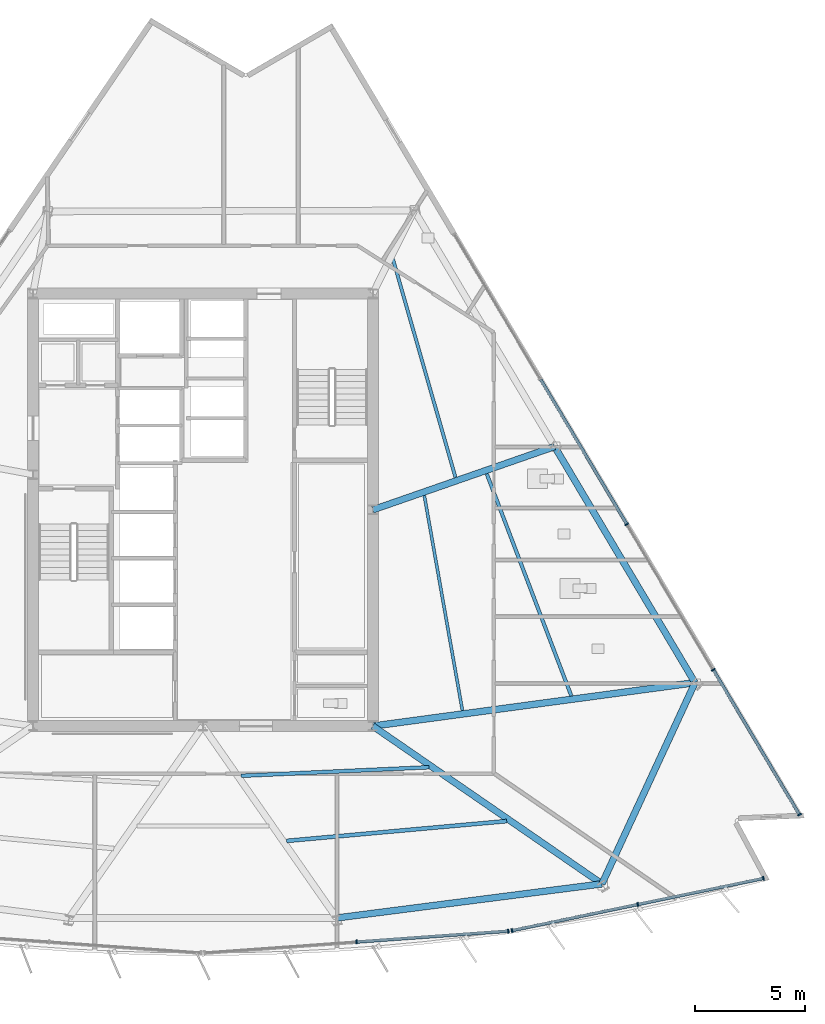
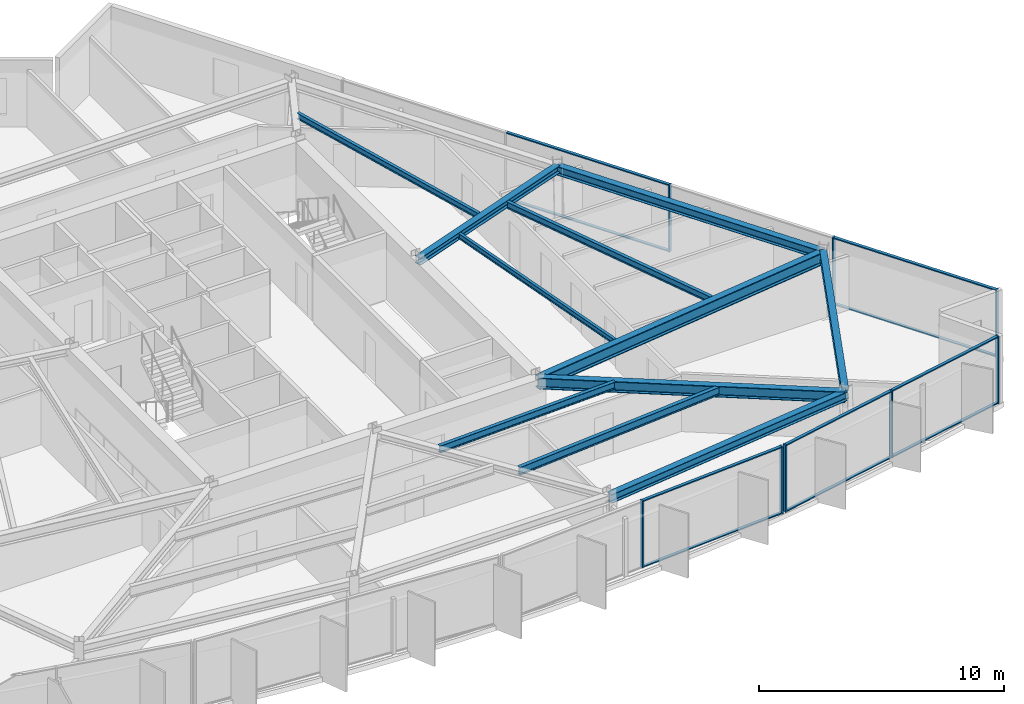
# One storey, part 4 of 15: 18 members, 11 beams, 3 elements without a shape of their own.
"""IFC4 building model written with IfcOpenShell, lengths in metres."""

from ifc_helpers import new_model, si_unit, direction, frame, origin, origin_2d, place, context, subcontext, project, spatial, rectangle, i_section, extrude, material, material_profile, profile_set, type_object, element, aggregate, save


model = new_model("IFC4")

# Units and contexts
model_context = context("Model", 3, precision=1e-05, world=origin(), true_north=direction((0.0, 1.0)))
body_context = subcontext(model_context, "Body", "Model", "MODEL_VIEW")
ifc_project = project(units=[si_unit("LENGTHUNIT", "METRE"), si_unit("AREAUNIT", "SQUARE_METRE"), si_unit("VOLUMEUNIT", "CUBIC_METRE"), si_unit("PLANEANGLEUNIT", "RADIAN"), si_unit("MASSUNIT", "GRAM", prefix="KILO")], contexts=[model_context])

# Site, building, storey
site_placement = place(None, origin())
site = spatial("IfcSite", under=ifc_project, at=site_placement, CompositionType="ELEMENT")
building_placement = place(site_placement, origin())
building = spatial("IfcBuilding", under=site, at=building_placement, Name="Savorim Split Tower", CompositionType="ELEMENT")
storey_placement = place(building_placement, frame((0.0, 0.0, 138.60009765625)))
storey = spatial("IfcBuildingStorey", under=building, at=storey_placement, Name="L36", CompositionType="ELEMENT", Elevation=138.60009765625)

# Beams
ifc_material_1 = material(Name="Steel S355", Category="steel")
ifc_material_profile_1 = material_profile(ifc_material_1, i_section(OverallWidth=0.135009765625, OverallDepth=0.27001953125, WebThickness=0.006591796875, FlangeThickness=0.01025390625, FilletRadius=0.014892578125, at=origin_2d()), Name="IPE 270")
ifc_profile_set_1 = profile_set([ifc_material_profile_1], Name="Steel S355")
beam_type_1 = type_object("IfcBeamType", Name="BM-JST-IPE270", PredefinedType="JOIST", material=ifc_profile_set_1)
beam_1_placement = place(storey_placement, frame((11.76025390625, -8.691650390625, 3.21484375), z_axis=(-0.174503595628, 0.984656536622, 0.0), x_axis=(-0.984656536622, -0.174503595628, 0.0)))
element("IfcBeam", 1, at=beam_1_placement, inside=storey, type_object=beam_type_1, Name="L36 Secondary Floor Joist JS-08", PredefinedType="JOIST", context=body_context, shape_type="SweptSolid", body=[
    extrude(i_section(OverallWidth=0.135009765625, OverallDepth=0.27001953125, WebThickness=0.006591796875, FlangeThickness=0.01025390625, FilletRadius=0.014892578125, at=origin_2d()), origin(), (0.0, 0.0, 1.0), 9.888427734375),
])
ifc_material_profile_2 = material_profile(ifc_material_1, i_section(OverallWidth=0.14990234375, OverallDepth=0.300048828125, WebThickness=0.007080078125, FlangeThickness=0.0107421875, FilletRadius=0.014892578125, at=origin_2d()), Name="IPE 300")
ifc_profile_set_2 = profile_set([ifc_material_profile_2], Name="Steel S355")
beam_type_2 = type_object("IfcBeamType", Name="BM-JST-IPE300", PredefinedType="JOIST", material=ifc_profile_set_2)
beam_2_placement = place(storey_placement, frame((11.445556640625, 1.87255859375, 3.199951171875), z_axis=(-0.275440744926, 0.961318051445, 0.0), x_axis=(-0.961318051445, -0.275440744926, 0.0)))
element("IfcBeam", 2, at=beam_2_placement, inside=storey, type_object=beam_type_2, Name="L36 Secondary Floor Joist JS-07", PredefinedType="JOIST", context=body_context, shape_type="SweptSolid", body=[
    extrude(i_section(OverallWidth=0.14990234375, OverallDepth=0.300048828125, WebThickness=0.007080078125, FlangeThickness=0.0107421875, FilletRadius=0.014892578125, at=origin_2d()), origin(), (0.0, 0.0, 1.0), 10.304931640625),
])
ifc_material_profile_3 = material_profile(ifc_material_1, i_section(OverallWidth=0.159912109375, OverallDepth=0.330078125, WebThickness=0.007568359375, FlangeThickness=0.011474609375, FilletRadius=0.01806640625, at=origin_2d()), Name="IPE 330")
ifc_profile_set_3 = profile_set([ifc_material_profile_3], Name="Steel S355")
beam_type_3 = type_object("IfcBeamType", Name="BM-JST-IPE330", PredefinedType="JOIST", material=ifc_profile_set_3)
beam_3_placement = place(storey_placement, frame((16.695556640625, -8.031005859375, 3.184814453125), z_axis=(-0.355916098706, 0.934517913516, 0.0), x_axis=(-0.934517913516, -0.355916098706, 0.0)))
element("IfcBeam", 3, at=beam_3_placement, inside=storey, type_object=beam_type_3, Name="L36 Secondary Floor Joist JS-06", PredefinedType="JOIST", context=body_context, shape_type="SweptSolid", body=[
    extrude(i_section(OverallWidth=0.159912109375, OverallDepth=0.330078125, WebThickness=0.007568359375, FlangeThickness=0.011474609375, FilletRadius=0.01806640625, at=origin_2d()), origin(), (0.0, 0.0, 1.0), 10.763916015625),
])
ifc_material_profile_4 = material_profile(ifc_material_1, i_section(OverallWidth=0.169921875, OverallDepth=0.360107421875, WebThickness=0.008056640625, FlangeThickness=0.0126953125, FilletRadius=0.01806640625, at=origin_2d()), Name="IPE 360")
ifc_profile_set_4 = profile_set([ifc_material_profile_4], Name="Steel S355")
beam_type_4 = type_object("IfcBeamType", Name="BM-JST-IPE360", PredefinedType="JOIST", material=ifc_profile_set_4)
beam_4_placement = place(storey_placement, frame((1.735595703125, -11.653564453125, 3.169921875), z_axis=(0.998966351189, 0.045455793834, 0.0), x_axis=(-0.045455793834, 0.998966351189, 0.0)))
element("IfcBeam", 4, at=beam_4_placement, inside=storey, type_object=beam_type_4, Name="L36 Secondary Floor Joist JS-05", PredefinedType="JOIST", context=body_context, shape_type="SweptSolid", body=[
    extrude(i_section(OverallWidth=0.169921875, OverallDepth=0.360107421875, WebThickness=0.008056640625, FlangeThickness=0.0126953125, FilletRadius=0.01806640625, at=origin_2d()), origin(), (0.0, 0.0, 1.0), 8.512939453125),
])
ifc_material_profile_5 = material_profile(ifc_material_1, i_section(OverallWidth=0.179931640625, OverallDepth=0.39990234375, WebThickness=0.008544921875, FlangeThickness=0.013427734375, FilletRadius=0.02099609375, at=origin_2d()), Name="IPE 400")
ifc_profile_set_5 = profile_set([ifc_material_profile_5], Name="Steel S355")
beam_type_5 = type_object("IfcBeamType", Name="BM-JST-IPE400", PredefinedType="JOIST", material=ifc_profile_set_5)
beam_5_placement = place(storey_placement, frame((3.795654296875, -14.602783203125, 3.14990234375), z_axis=(0.995976701948, 0.089612550332, 0.0), x_axis=(-0.089612550332, 0.995976701948, 0.0)))
element("IfcBeam", 5, at=beam_5_placement, inside=storey, type_object=beam_type_5, Name="L36 Secondary Floor Joist JS-04", PredefinedType="JOIST", context=body_context, shape_type="SweptSolid", body=[
    extrude(i_section(OverallWidth=0.179931640625, OverallDepth=0.39990234375, WebThickness=0.008544921875, FlangeThickness=0.013427734375, FilletRadius=0.02099609375, at=origin_2d()), origin(), (0.0, 0.0, 1.0), 10.014892578125),
])
ifc_material_profile_6 = material_profile(ifc_material_1, i_section(OverallWidth=0.300048828125, OverallDepth=0.360107421875, WebThickness=0.012451171875, FlangeThickness=0.0224609375, FilletRadius=0.027099609375, at=origin_2d()), Name="HEB 360")
ifc_profile_set_6 = profile_set([ifc_material_profile_6], Name="Steel S355")
beam_type_6 = type_object("IfcBeamType", Name="BM-PRI-HEB360", PredefinedType="BEAM", material=ifc_profile_set_6)
beam_6_placement = place(storey_placement, frame((15.938232421875, 3.266845703125, 3.169921875), z_axis=(-0.944445055769, -0.328669342399, 0.0), x_axis=(0.328669342399, -0.944445055769, 0.0)))
element("IfcBeam", 6, at=beam_6_placement, inside=storey, type_object=beam_type_6, Name="L36 Primary Floor Girder RG-06", PredefinedType="BEAM", context=body_context, shape_type="SweptSolid", body=[
    extrude(i_section(OverallWidth=0.300048828125, OverallDepth=0.360107421875, WebThickness=0.012451171875, FlangeThickness=0.0224609375, FilletRadius=0.027099609375, at=origin_2d()), origin(), (0.0, 0.0, 1.0), 8.722900390625),
])
ifc_material_profile_7 = material_profile(ifc_material_1, i_section(OverallWidth=0.300048828125, OverallDepth=0.550048828125, WebThickness=0.014892578125, FlangeThickness=0.029052734375, FilletRadius=0.027099609375, at=origin_2d()), Name="HEB 550")
ifc_profile_set_7 = profile_set([ifc_material_profile_7], Name="Steel S355")
beam_type_7 = type_object("IfcBeamType", Name="BM-PRI-HEB550", PredefinedType="BEAM", material=ifc_profile_set_7)
beam_7_placement = place(storey_placement, frame((18.082763671875, -16.551513671875, 3.074951171875), z_axis=(-0.823544389723, 0.567251829575, 0.0), x_axis=(-0.567251829575, -0.823544389723, 0.0)))
element("IfcBeam", 7, at=beam_7_placement, inside=storey, type_object=beam_type_7, Name="L36 Primary Floor Girder RG-04", PredefinedType="BEAM", context=body_context, shape_type="SweptSolid", body=[
    extrude(i_section(OverallWidth=0.300048828125, OverallDepth=0.550048828125, WebThickness=0.014892578125, FlangeThickness=0.029052734375, FilletRadius=0.027099609375, at=origin_2d()), origin(), (0.0, 0.0, 1.0), 12.607421875),
])
ifc_material_2 = material(Name="Steel S460", Category="steel")
ifc_material_profile_8 = material_profile(ifc_material_2, i_section(OverallWidth=0.304931640625, OverallDepth=0.6201171875, WebThickness=0.02099609375, FlangeThickness=0.0400390625, FilletRadius=0.027099609375, at=origin_2d()), Name="HE 600 M")
ifc_profile_set_8 = profile_set([ifc_material_profile_8], Name="Steel S460")
beam_type_8 = type_object("IfcBeamType", Name="BM-PRI-HEM600", PredefinedType="BEAM", material=ifc_profile_set_8)
beam_8_placement = place(storey_placement, frame((22.30078125, -7.43310546875, 3.039794921875), z_axis=(-0.991048986262, -0.133498714712, 0.0), x_axis=(0.133498714712, -0.991048986262, 0.0)))
element("IfcBeam", 8, at=beam_8_placement, inside=storey, type_object=beam_type_8, Name="L36 Primary Floor Girder RG-05", PredefinedType="BEAM", context=body_context, shape_type="SweptSolid", body=[
    extrude(i_section(OverallWidth=0.304931640625, OverallDepth=0.6201171875, WebThickness=0.02099609375, FlangeThickness=0.0400390625, FilletRadius=0.027099609375, at=origin_2d()), origin(), (0.0, 0.0, 1.0), 14.732666015625),
])
ifc_material_profile_9 = material_profile(ifc_material_1, i_section(OverallWidth=0.300048828125, OverallDepth=0.43994140625, WebThickness=0.011474609375, FlangeThickness=0.02099609375, FilletRadius=0.027099609375, at=origin_2d()), Name="HEA 450")
ifc_profile_set_9 = profile_set([ifc_material_profile_9], Name="Steel S355")
beam_type_9 = type_object("IfcBeamType", Name="BM-SPN-HEA450", PredefinedType="SPANDREL", material=ifc_profile_set_9)
beam_9_placement = place(storey_placement, frame((6.060546875, -18.09521484375, 3.1298828125), z_axis=(0.991856761228, 0.127358412388, 0.0), x_axis=(-0.127358412388, 0.991856761228, 0.0)))
element("IfcBeam", 9, at=beam_9_placement, inside=storey, type_object=beam_type_9, Name="L36 Perimeter Spandrel Beam 3", PredefinedType="SPANDREL", context=body_context, shape_type="SweptSolid", body=[
    extrude(i_section(OverallWidth=0.300048828125, OverallDepth=0.43994140625, WebThickness=0.011474609375, FlangeThickness=0.02099609375, FilletRadius=0.027099609375, at=origin_2d()), origin(), (0.0, 0.0, 1.0), 12.120849609375),
])
beam_10_placement = place(storey_placement, frame((18.082763671875, -16.551513671875, 3.1298828125), z_axis=(0.419839312234, 0.907598453008, 0.0), x_axis=(-0.907598453008, 0.419839312234, 0.0)))
element("IfcBeam", 10, at=beam_10_placement, inside=storey, type_object=beam_type_9, Name="L36 Perimeter Spandrel Beam 4", PredefinedType="SPANDREL", context=body_context, shape_type="SweptSolid", body=[
    extrude(i_section(OverallWidth=0.300048828125, OverallDepth=0.43994140625, WebThickness=0.011474609375, FlangeThickness=0.02099609375, FilletRadius=0.027099609375, at=origin_2d()), origin(), (0.0, 0.0, 1.0), 10.046630859375),
])
beam_11_placement = place(storey_placement, frame((22.30078125, -7.43310546875, 3.1298828125), z_axis=(-0.51110006338, 0.859521218594, 0.0), x_axis=(-0.859521218594, -0.51110006338, 0.0)))
element("IfcBeam", 11, at=beam_11_placement, inside=storey, type_object=beam_type_9, Name="L36 Perimeter Spandrel Beam 5", PredefinedType="SPANDREL", context=body_context, shape_type="SweptSolid", body=[
    extrude(i_section(OverallWidth=0.300048828125, OverallDepth=0.43994140625, WebThickness=0.011474609375, FlangeThickness=0.02099609375, FilletRadius=0.027099609375, at=origin_2d()), origin(), (0.0, 0.0, 1.0), 12.44873046875),
])

# Curtain wall, members
ifc_material_3 = material(Name="Dark Ceramic-Fritted Insulated Glass", Category="glass")
curtain_wall_type = type_object("IfcCurtainWallType", Name="CW-TWR-FRIT-A", PredefinedType="NOTDEFINED", material=ifc_material_3)
curtain_wall_1_placement = place(storey_placement, origin())
curtain_wall_1 = element("IfcCurtainWall", 12, at=curtain_wall_1_placement, inside=storey, type_object=curtain_wall_type, Name="L36 Curtain Wall CW-L36-SF3", PredefinedType="NOTDEFINED")
ifc_material_4 = material(Name="Charcoal Anodised Aluminium", Category="aluminium")
ifc_material_profile_10 = material_profile(ifc_material_4, rectangle(XDim=0.179931640625, YDim=0.06494140625, at=origin_2d()), Name="ALU-M 180x65")
ifc_profile_set_10 = profile_set([ifc_material_profile_10], Name="Charcoal Anodised Aluminium")
member_type_1 = type_object("IfcMemberType", Name="CWM-180x65", PredefinedType="MULLION", material=ifc_profile_set_10)
member_1_placement = place(storey_placement, frame((6.9619140625, -19.181884765625, 0.0), z_axis=(0.0, 0.0, 1.0), x_axis=(-0.071560918492, 0.997436231017, 0.0)))
member_1 = element("IfcMember", 13, at=member_1_placement, type_object=member_type_1, Name="CW-02 mullion 2", PredefinedType="MULLION", context=body_context, shape_type="SweptSolid", body=[
    extrude(rectangle(XDim=0.179931640625, YDim=0.06494140625, at=origin_2d()), origin(), (0.0, 0.0, 1.0), 3.349853515625),
])
member_2_placement = place(storey_placement, frame((13.840087890625, -18.688232421875, 0.0), z_axis=(0.0, 0.0, 1.0), x_axis=(-0.071560918492, 0.997436231017, 0.0)))
member_2 = element("IfcMember", 14, at=member_2_placement, type_object=member_type_1, Name="CW-02 mullion 3", PredefinedType="MULLION", context=body_context, shape_type="SweptSolid", body=[
    extrude(rectangle(XDim=0.179931640625, YDim=0.06494140625, at=origin_2d()), origin(), (0.0, 0.0, 1.0), 3.349853515625),
])

curtain_wall_2_placement = place(storey_placement, origin())
curtain_wall_2 = element("IfcCurtainWall", 15, at=curtain_wall_2_placement, inside=storey, type_object=curtain_wall_type, Name="L36 Curtain Wall CW-L36-SF4", PredefinedType="NOTDEFINED")
member_3_placement = place(storey_placement, frame((14.007080078125, -18.6650390625, 0.0), z_axis=(0.0, 0.0, 1.0), x_axis=(-0.203209964912, 0.979135184824, 0.0)))
member_3 = element("IfcMember", 16, at=member_3_placement, type_object=member_type_1, Name="CW-02 mullion 1", PredefinedType="MULLION", context=body_context, shape_type="SweptSolid", body=[
    extrude(rectangle(XDim=0.179931640625, YDim=0.06494140625, at=origin_2d()), origin(), (0.0, 0.0, 1.0), 3.349853515625),
])
member_4_placement = place(storey_placement, frame((19.70458984375, -17.482666015625, 0.0), z_axis=(0.0, 0.0, 1.0), x_axis=(-0.203209964912, 0.979135184824, 0.0)))
member_4 = element("IfcMember", 17, at=member_4_placement, type_object=member_type_1, Name="CW-02 mullion 2", PredefinedType="MULLION", context=body_context, shape_type="SweptSolid", body=[
    extrude(rectangle(XDim=0.179931640625, YDim=0.06494140625, at=origin_2d()), origin(), (0.0, 0.0, 1.0), 3.349853515625),
])
member_5_placement = place(storey_placement, frame((25.402099609375, -16.30029296875, 0.0), z_axis=(0.0, 0.0, 1.0), x_axis=(-0.203209964912, 0.979135184824, 0.0)))
member_5 = element("IfcMember", 18, at=member_5_placement, type_object=member_type_1, Name="CW-02 mullion 3", PredefinedType="MULLION", context=body_context, shape_type="SweptSolid", body=[
    extrude(rectangle(XDim=0.179931640625, YDim=0.06494140625, at=origin_2d()), origin(), (0.0, 0.0, 1.0), 3.349853515625),
])

curtain_wall_3_placement = place(storey_placement, origin())
curtain_wall_3 = element("IfcCurtainWall", 19, at=curtain_wall_3_placement, inside=storey, type_object=curtain_wall_type, Name="L36 Curtain Wall CW-L36-EAST", PredefinedType="NOTDEFINED")
member_6_placement = place(storey_placement, frame((27.032470703125, -13.41357421875, 0.0), z_axis=(0.0, 0.0, 1.0), x_axis=(-0.859526328423, -0.511091470039, 0.0)))
member_6 = element("IfcMember", 20, at=member_6_placement, type_object=member_type_1, Name="CW-02 mullion 1", PredefinedType="MULLION", context=body_context, shape_type="SweptSolid", body=[
    extrude(rectangle(XDim=0.179931640625, YDim=0.06494140625, at=origin_2d()), origin(), (0.0, 0.0, 1.0), 3.349853515625),
])
member_7_placement = place(storey_placement, frame((23.12939453125, -6.849609375, 0.0), z_axis=(0.0, 0.0, 1.0), x_axis=(-0.859526328423, -0.511091470039, 0.0)))
member_7 = element("IfcMember", 21, at=member_7_placement, type_object=member_type_1, Name="CW-02 mullion 2", PredefinedType="MULLION", context=body_context, shape_type="SweptSolid", body=[
    extrude(rectangle(XDim=0.179931640625, YDim=0.06494140625, at=origin_2d()), origin(), (0.0, 0.0, 1.0), 3.349853515625),
])
member_8_placement = place(storey_placement, frame((19.209716796875, -0.257568359375, 0.0), z_axis=(0.0, 0.0, 1.0), x_axis=(-0.859526328423, -0.511091470039, 0.0)))
member_8 = element("IfcMember", 22, at=member_8_placement, type_object=member_type_1, Name="CW-02 mullion 3", PredefinedType="MULLION", context=body_context, shape_type="SweptSolid", body=[
    extrude(rectangle(XDim=0.179931640625, YDim=0.06494140625, at=origin_2d()), origin(), (0.0, 0.0, 1.0), 3.349853515625),
])

# Member
ifc_material_profile_11 = material_profile(ifc_material_4, rectangle(XDim=0.139892578125, YDim=0.054931640625, at=origin_2d()), Name="ALU-T 140x55")
ifc_profile_set_11 = profile_set([ifc_material_profile_11], Name="Charcoal Anodised Aluminium")
member_type_2 = type_object("IfcMemberType", Name="CWT-140x55", PredefinedType="USERDEFINED", material=ifc_profile_set_11)
member_9_placement = place(storey_placement, frame((6.994384765625, -19.179443359375, 0.02734375), z_axis=(0.99743669961, 0.071554386807, 0.0), x_axis=(-0.071554386807, 0.99743669961, 0.0)))
member_9 = element("IfcMember", 23, at=member_9_placement, type_object=member_type_2, Name="CW-02 transom 2.1", ObjectType="TRANSOM", PredefinedType="USERDEFINED", context=body_context, shape_type="SweptSolid", body=[
    extrude(rectangle(XDim=0.139892578125, YDim=0.054931640625, at=origin_2d()), origin(), (0.0, 0.0, 1.0), 6.830810546875),
])

member_10_placement = place(storey_placement, frame((6.994384765625, -19.179443359375, 3.322509765625), z_axis=(0.99743669961, 0.071554386807, 0.0), x_axis=(-0.071554386807, 0.99743669961, 0.0)))
member_10 = element("IfcMember", 24, at=member_10_placement, type_object=member_type_2, Name="CW-02 transom 2.2", ObjectType="TRANSOM", PredefinedType="USERDEFINED", context=body_context, shape_type="SweptSolid", body=[
    extrude(rectangle(XDim=0.139892578125, YDim=0.054931640625, at=origin_2d()), origin(), (0.0, 0.0, 1.0), 6.830810546875),
])

aggregate(curtain_wall_1, [member_1, member_2, member_9, member_10])

member_11_placement = place(storey_placement, frame((14.0390625, -18.658447265625, 0.02734375), z_axis=(0.979135111877, 0.203210316394, 0.0), x_axis=(-0.203210316394, 0.979135111877, 0.0)))
member_11 = element("IfcMember", 25, at=member_11_placement, type_object=member_type_2, Name="CW-02 transom 1.1", ObjectType="TRANSOM", PredefinedType="USERDEFINED", context=body_context, shape_type="SweptSolid", body=[
    extrude(rectangle(XDim=0.139892578125, YDim=0.054931640625, at=origin_2d()), origin(), (0.0, 0.0, 1.0), 5.753662109375),
])

member_12_placement = place(storey_placement, frame((14.0390625, -18.658447265625, 3.322509765625), z_axis=(0.979135111877, 0.203210316394, 0.0), x_axis=(-0.203210316394, 0.979135111877, 0.0)))
member_12 = element("IfcMember", 26, at=member_12_placement, type_object=member_type_2, Name="CW-02 transom 1.2", ObjectType="TRANSOM", PredefinedType="USERDEFINED", context=body_context, shape_type="SweptSolid", body=[
    extrude(rectangle(XDim=0.139892578125, YDim=0.054931640625, at=origin_2d()), origin(), (0.0, 0.0, 1.0), 5.753662109375),
])

member_13_placement = place(storey_placement, frame((19.736328125, -17.47607421875, 0.02734375), z_axis=(0.979136864004, 0.203201873883, 0.0), x_axis=(-0.203201873883, 0.979136864004, 0.0)))
member_13 = element("IfcMember", 27, at=member_13_placement, type_object=member_type_2, Name="CW-02 transom 2.1", ObjectType="TRANSOM", PredefinedType="USERDEFINED", context=body_context, shape_type="SweptSolid", body=[
    extrude(rectangle(XDim=0.139892578125, YDim=0.054931640625, at=origin_2d()), origin(), (0.0, 0.0, 1.0), 5.75390625),
])

member_14_placement = place(storey_placement, frame((19.736328125, -17.47607421875, 3.322509765625), z_axis=(0.979136864004, 0.203201873883, 0.0), x_axis=(-0.203201873883, 0.979136864004, 0.0)))
member_14 = element("IfcMember", 28, at=member_14_placement, type_object=member_type_2, Name="CW-02 transom 2.2", ObjectType="TRANSOM", PredefinedType="USERDEFINED", context=body_context, shape_type="SweptSolid", body=[
    extrude(rectangle(XDim=0.139892578125, YDim=0.054931640625, at=origin_2d()), origin(), (0.0, 0.0, 1.0), 5.75390625),
])

aggregate(curtain_wall_2, [member_3, member_4, member_5, member_11, member_12, member_13, member_14])

member_15_placement = place(storey_placement, frame((27.015869140625, -13.385498046875, 0.02734375), z_axis=(-0.511096639182, 0.859523254727, 0.0), x_axis=(-0.859523254727, -0.511096639182, 0.0)))
member_15 = element("IfcMember", 29, at=member_15_placement, type_object=member_type_2, Name="CW-02 transom 1.1", ObjectType="TRANSOM", PredefinedType="USERDEFINED", context=body_context, shape_type="SweptSolid", body=[
    extrude(rectangle(XDim=0.139892578125, YDim=0.054931640625, at=origin_2d()), origin(), (0.0, 0.0, 1.0), 7.57177734375),
])

member_16_placement = place(storey_placement, frame((27.015869140625, -13.385498046875, 3.322509765625), z_axis=(-0.511096639182, 0.859523254727, 0.0), x_axis=(-0.859523254727, -0.511096639182, 0.0)))
member_16 = element("IfcMember", 30, at=member_16_placement, type_object=member_type_2, Name="CW-02 transom 1.2", ObjectType="TRANSOM", PredefinedType="USERDEFINED", context=body_context, shape_type="SweptSolid", body=[
    extrude(rectangle(XDim=0.139892578125, YDim=0.054931640625, at=origin_2d()), origin(), (0.0, 0.0, 1.0), 7.57177734375),
])

member_17_placement = place(storey_placement, frame((19.193115234375, -0.229736328125, 0.02734375), z_axis=(-0.511087573167, 0.859528645569, 0.0), x_axis=(-0.859528645569, -0.511087573167, 0.0)))
member_17 = element("IfcMember", 31, at=member_17_placement, type_object=member_type_2, Name="CW-02 transom 3.1", ObjectType="TRANSOM", PredefinedType="USERDEFINED", context=body_context, shape_type="SweptSolid", body=[
    extrude(rectangle(XDim=0.139892578125, YDim=0.054931640625, at=origin_2d()), origin(), (0.0, 0.0, 1.0), 7.604248046875),
])

member_18_placement = place(storey_placement, frame((19.193115234375, -0.229736328125, 3.322509765625), z_axis=(-0.511087573167, 0.859528645569, 0.0), x_axis=(-0.859528645569, -0.511087573167, 0.0)))
member_18 = element("IfcMember", 32, at=member_18_placement, type_object=member_type_2, Name="CW-02 transom 3.2", ObjectType="TRANSOM", PredefinedType="USERDEFINED", context=body_context, shape_type="SweptSolid", body=[
    extrude(rectangle(XDim=0.139892578125, YDim=0.054931640625, at=origin_2d()), origin(), (0.0, 0.0, 1.0), 7.604248046875),
])

aggregate(curtain_wall_3, [member_6, member_7, member_8, member_15, member_16, member_17, member_18])

save(model, "model.ifc")
